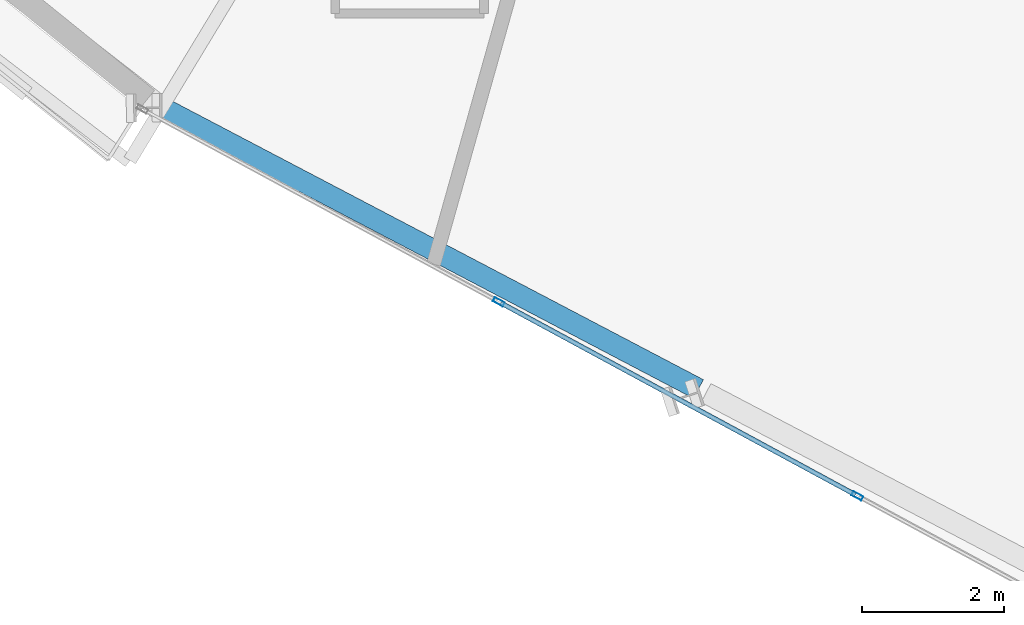
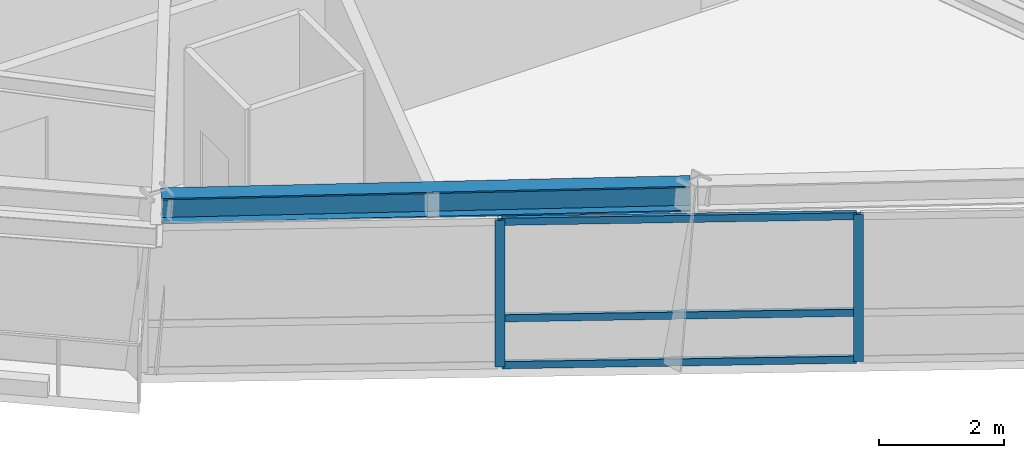
# One storey, part 4 of 15: 5 members, 1 beam, 1 element without a shape of its own.
"""IFC4 building model written with IfcOpenShell, lengths in metres."""

from ifc_helpers import new_model, si_unit, direction, frame, origin, origin_2d, place, context, subcontext, project, spatial, hollow_rectangle, i_section, extrude, source, transform, mapped, material, material_profile, profile_set, type_object, element, aggregate, save


model = new_model("IFC4")

# Units and contexts
model_context = context("Model", 3, precision=1e-05, world=origin(), true_north=direction((0.0, 1.0)))
body_context = subcontext(model_context, "Body", "Model", "MODEL_VIEW")
ifc_project = project(units=[si_unit("LENGTHUNIT", "METRE"), si_unit("AREAUNIT", "SQUARE_METRE"), si_unit("VOLUMEUNIT", "CUBIC_METRE"), si_unit("PLANEANGLEUNIT", "RADIAN"), si_unit("MASSUNIT", "GRAM", prefix="KILO")], contexts=[model_context])

# Site, building, storey
site_placement = place(None, origin())
site = spatial("IfcSite", under=ifc_project, at=site_placement, CompositionType="ELEMENT")
building_placement = place(site_placement, origin())
building = spatial("IfcBuilding", under=site, at=building_placement, Name="Olszyna Solenne Hotel", CompositionType="ELEMENT")
storey_placement = place(building_placement, frame((0.0, 0.0, 270.5)))
storey = spatial("IfcBuildingStorey", under=building, at=storey_placement, Name="L72", CompositionType="ELEMENT", Elevation=270.5)

# Beam
ifc_material_1 = material(Name="Steel S355J2", Category="steel")
ifc_material_profile_1 = material_profile(ifc_material_1, i_section(OverallWidth=0.300048828125, OverallDepth=0.5, WebThickness=0.014404296875, FlangeThickness=0.028076171875, at=origin_2d()), Name="HEB 500", Category="load-bearing")
ifc_profile_set_1 = profile_set([ifc_material_profile_1], Name="Steel S355J2")
beam_type = type_object("IfcBeamType", Name="BM-S3", PredefinedType="BEAM", material=ifc_profile_set_1)
shared_shape_1 = source(origin(), body_context, "Body", "SweptSolid", [
    extrude(i_section(OverallWidth=0.300048828125, OverallDepth=0.5, WebThickness=0.014404296875, FlangeThickness=0.028076171875, at=origin_2d()), origin(), (0.0, 0.0, 1.0), 8.49267578125),
])
beam_placement = place(storey_placement, frame((29.744873046875, 12.87353515625, 3.1298828125), z_axis=(0.885577079091, -0.464492450949, 0.0), x_axis=(0.464492450949, 0.885577079091, 0.0)))
element("IfcBeam", 1, at=beam_placement, inside=storey, type_object=beam_type, Name="Perimeter spandrel beam BM-S3 B-L72-2117", PredefinedType="BEAM", context=body_context, shape_type="MappedRepresentation", body=[
    mapped(shared_shape_1, transform((0.0, 0.0, 0.0), x_axis=(1.0, 0.0, 0.0), y_axis=(0.0, 1.0, 0.0), z_axis=(0.0, 0.0, 1.0), scale=1.0)),
])

# Curtain wall, members
ifc_material_2 = material(Name="Anodised bronze aluminium", Category="aluminium")
curtain_wall_type = type_object("IfcCurtainWallType", Name="CW-SYS-4", PredefinedType="NOTDEFINED", material=ifc_material_2)
curtain_wall_placement = place(storey_placement, origin())
curtain_wall = element("IfcCurtainWall", 2, at=curtain_wall_placement, inside=storey, type_object=curtain_wall_type, Name="Unitised curtain wall CW-SYS-4 CW-L72-01", PredefinedType="NOTDEFINED")
ifc_material_profile_2 = material_profile(ifc_material_2, hollow_rectangle(XDim=0.06494140625, YDim=0.159912109375, WallThickness=0.00390625, at=origin_2d()), Name="MULL 160x65x4", Category="load-bearing")
ifc_profile_set_2 = profile_set([ifc_material_profile_2], Name="Anodised bronze aluminium")
member_type_1 = type_object("IfcMemberType", Name="CW-M3", PredefinedType="MULLION", material=ifc_profile_set_2)
shared_shape_2 = source(origin(), body_context, "Body", "SweptSolid", [
    extrude(hollow_rectangle(XDim=0.06494140625, YDim=0.159912109375, WallThickness=0.00390625, at=origin_2d()), origin(), (0.0, 0.0, 1.0), 2.8720703125),
])
member_1_placement = place(storey_placement, frame((34.44873046875, 10.15869140625, 0.0), z_axis=(0.0, 0.0, 1.0), x_axis=(0.475903760408, 0.879497362605, 0.0)))
member_1 = element("IfcMember", 3, at=member_1_placement, type_object=member_type_1, Name="Curtain-wall mullion CW-M3 CM-L72-01-02", PredefinedType="MULLION", context=body_context, shape_type="MappedRepresentation", body=[
    mapped(shared_shape_2, transform((0.0, 0.0, 0.0), x_axis=(1.0, 0.0, 0.0), y_axis=(0.0, 1.0, 0.0), z_axis=(0.0, 0.0, 1.0), scale=1.0)),
])
member_2_placement = place(storey_placement, frame((39.5078125, 7.421142578125, 0.0), z_axis=(0.0, 0.0, 1.0), x_axis=(0.475903760408, 0.879497362605, 0.0)))
member_2 = element("IfcMember", 4, at=member_2_placement, type_object=member_type_1, Name="Curtain-wall mullion CW-M3 CM-L72-01-03", PredefinedType="MULLION", context=body_context, shape_type="MappedRepresentation", body=[
    mapped(shared_shape_2, transform((0.0, 0.0, 0.0), x_axis=(1.0, 0.0, 0.0), y_axis=(0.0, 1.0, 0.0), z_axis=(0.0, 0.0, 1.0), scale=1.0)),
])
ifc_material_profile_3 = material_profile(ifc_material_2, hollow_rectangle(XDim=0.06494140625, YDim=0.139892578125, WallThickness=0.00390625, at=origin_2d()), Name="TRAN 140x65x4", Category="load-bearing")
ifc_profile_set_3 = profile_set([ifc_material_profile_3], Name="Anodised bronze aluminium")
member_type_2 = type_object("IfcMemberType", Name="CW-T2", PredefinedType="USERDEFINED", material=ifc_profile_set_3)
shared_shape_3 = source(origin(), body_context, "Body", "SweptSolid", [
    extrude(hollow_rectangle(XDim=0.06494140625, YDim=0.139892578125, WallThickness=0.00390625, at=origin_2d()), origin(), (0.0, 0.0, 1.0), 5.68701171875),
])
member_3_placement = place(storey_placement, frame((34.4775390625, 10.143310546875, 0.032470703125), z_axis=(0.879491899055, -0.475913857223, 0.0), x_axis=(0.475913857223, 0.879491899055, 0.0)))
member_3 = element("IfcMember", 5, at=member_3_placement, type_object=member_type_2, Name="Curtain-wall transom CW-T2 CT-L72-01-04", ObjectType="TRANSOM", PredefinedType="USERDEFINED", context=body_context, shape_type="MappedRepresentation", body=[
    mapped(shared_shape_3, transform((0.0, 0.0, 0.0), x_axis=(1.0, 0.0, 0.0), y_axis=(0.0, 1.0, 0.0), z_axis=(0.0, 0.0, 1.0), scale=1.0)),
])
member_4_placement = place(storey_placement, frame((34.4775390625, 10.143310546875, 0.949951171875), z_axis=(0.879491899055, -0.475913857223, 0.0), x_axis=(0.475913857223, 0.879491899055, 0.0)))
member_4 = element("IfcMember", 6, at=member_4_placement, type_object=member_type_2, Name="Curtain-wall transom CW-T2 CT-L72-01-05", ObjectType="TRANSOM", PredefinedType="USERDEFINED", context=body_context, shape_type="MappedRepresentation", body=[
    mapped(shared_shape_3, transform((0.0, 0.0, 0.0), x_axis=(1.0, 0.0, 0.0), y_axis=(0.0, 1.0, 0.0), z_axis=(0.0, 0.0, 1.0), scale=1.0)),
])
member_5_placement = place(storey_placement, frame((34.4775390625, 10.143310546875, 2.839599609375), z_axis=(0.879491899055, -0.475913857223, 0.0), x_axis=(0.475913857223, 0.879491899055, 0.0)))
member_5 = element("IfcMember", 7, at=member_5_placement, type_object=member_type_2, Name="Curtain-wall transom CW-T2 CT-L72-01-06", ObjectType="TRANSOM", PredefinedType="USERDEFINED", context=body_context, shape_type="MappedRepresentation", body=[
    mapped(shared_shape_3, transform((0.0, 0.0, 0.0), x_axis=(1.0, 0.0, 0.0), y_axis=(0.0, 1.0, 0.0), z_axis=(0.0, 0.0, 1.0), scale=1.0)),
])
aggregate(curtain_wall, [member_1, member_2, member_3, member_4, member_5])

save(model, "model.ifc")
